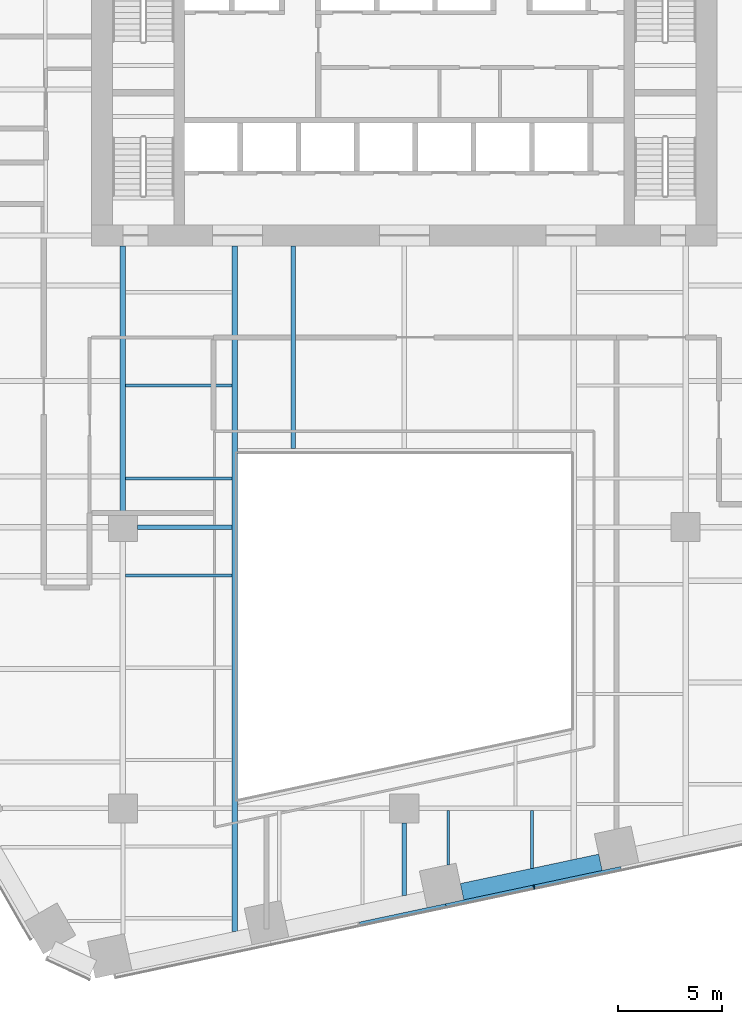
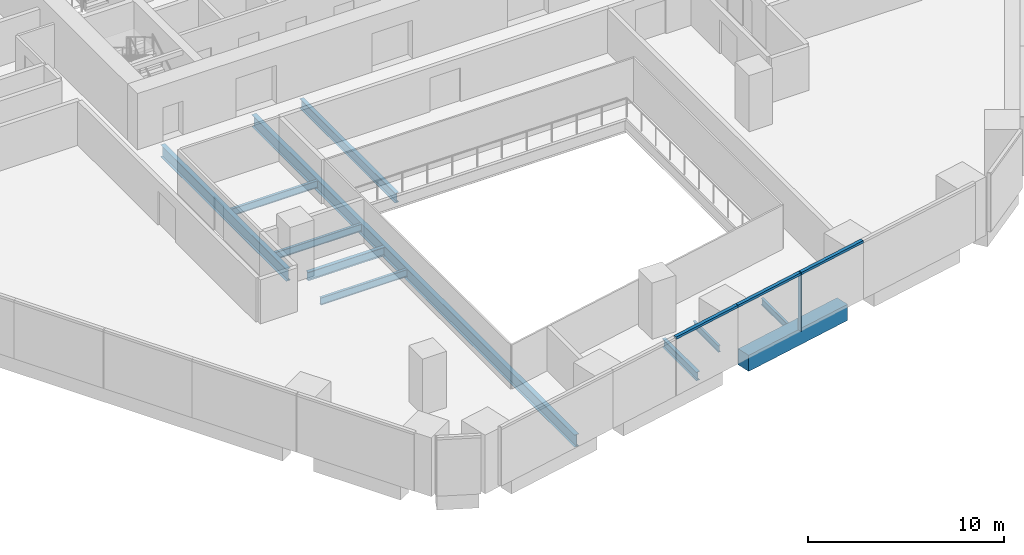
# One storey, part 4 of 21: 11 beams, 4 members, 1 element without a shape of its own.
"""IFC4 building model written with IfcOpenShell, lengths in metres."""

from ifc_helpers import new_model, si_unit, direction, frame, origin, origin_2d, place, context, subcontext, project, spatial, rectangle, i_section, extrude, material, layer, layer_set, material_profile, profile_set, type_object, element, aggregate, save


model = new_model("IFC4")

# Units and contexts
model_context = context("Model", 3, precision=1e-05, world=origin(), true_north=direction((0.0, 1.0)))
body_context = subcontext(model_context, "Body", "Model", "MODEL_VIEW")
ifc_project = project(units=[si_unit("LENGTHUNIT", "METRE"), si_unit("AREAUNIT", "SQUARE_METRE"), si_unit("VOLUMEUNIT", "CUBIC_METRE"), si_unit("PLANEANGLEUNIT", "RADIAN"), si_unit("MASSUNIT", "GRAM", prefix="KILO")], contexts=[model_context])

# Site, building, storey
site_placement = place(None, origin())
site = spatial("IfcSite", under=ifc_project, at=site_placement, CompositionType="ELEMENT")
building_placement = place(site_placement, origin())
building = spatial("IfcBuilding", under=site, at=building_placement, Name="Isthmus Gate Tower", CompositionType="ELEMENT")
storey_placement = place(building_placement, frame((0.0, 0.0, 46.949951171875)))
storey = spatial("IfcBuildingStorey", under=building, at=storey_placement, Name="L09", CompositionType="ELEMENT", Elevation=46.949951171875)

# Curtain wall, members
ifc_material_1 = material(Name="Aluminium, pale champagne anodised", Category="aluminium")
ifc_layer = layer(ifc_material_1, 0.199951171875)
ifc_layer_set = layer_set([ifc_layer], Name="CW-1 UNITISED CURTAIN WALL 200 DEEP")
curtain_wall_type = type_object("IfcCurtainWallType", Name="CW-1 UNITISED CURTAIN WALL 200 DEEP", PredefinedType="NOTDEFINED", material=ifc_layer_set)
curtain_wall_placement = place(storey_placement, origin())
curtain_wall = element("IfcCurtainWall", 1, at=curtain_wall_placement, inside=storey, type_object=curtain_wall_type, Name="CW-1 S L09", PredefinedType="NOTDEFINED")
ifc_material_2 = material(Name="Aluminium, pale champagne anodised", Category="aluminium")
ifc_material_profile_1 = material_profile(ifc_material_2, rectangle(XDim=0.06005859375, YDim=0.199951171875, at=origin_2d()), Name="60x200")
ifc_profile_set_1 = profile_set([ifc_material_profile_1], Name="Aluminium, pale champagne anodised")
member_type_1 = type_object("IfcMemberType", Name="CW-1 MULLION 60 X 200", PredefinedType="MULLION", material=ifc_profile_set_1)
member_1_placement = place(storey_placement, frame((6.228759765625, -30.7783203125, 0.0), z_axis=(0.0, 0.0, 1.0), x_axis=(0.978147600734, 0.207911690818, 0.0)))
member_1 = element("IfcMember", 2, at=member_1_placement, type_object=member_type_1, Name="CW-1 mullion", PredefinedType="MULLION", context=body_context, shape_type="SweptSolid", body=[
    extrude(rectangle(XDim=0.06005859375, YDim=0.199951171875, at=origin_2d()), origin(), (0.0, 0.0, 1.0), 3.650146484375),
])
ifc_material_3 = material(Name="Aluminium, pale champagne anodised", Category="aluminium")
ifc_material_profile_2 = material_profile(ifc_material_3, rectangle(XDim=0.199951171875, YDim=0.14990234375, at=origin_2d()), Name="200x150")
ifc_profile_set_2 = profile_set([ifc_material_profile_2], Name="Aluminium, pale champagne anodised")
member_type_2 = type_object("IfcMemberType", Name="CW-1 TRANSOM 200 X 150", PredefinedType="USERDEFINED", material=ifc_profile_set_2)
member_2_placement = place(storey_placement, frame((-2.1435546875, -32.557861328125, 3.574951171875), z_axis=(0.978150351608, 0.20789874855, 0.0), x_axis=(-0.20789874855, 0.978150351608, 0.0)))
member_2 = element("IfcMember", 3, at=member_2_placement, type_object=member_type_2, Name="CW-1 transom", ObjectType="TRANSOM", PredefinedType="USERDEFINED", context=body_context, shape_type="SweptSolid", body=[
    extrude(rectangle(XDim=0.199951171875, YDim=0.14990234375, at=origin_2d()), origin(), (0.0, 0.0, 1.0), 4.234619140625),
])
member_3_placement = place(storey_placement, frame((1.99853515625, -31.677490234375, 3.574951171875), z_axis=(0.97813890815, 0.207952582007, 0.0), x_axis=(-0.207952582007, 0.97813890815, 0.0)))
member_3 = element("IfcMember", 4, at=member_3_placement, type_object=member_type_2, Name="CW-1 transom", ObjectType="TRANSOM", PredefinedType="USERDEFINED", context=body_context, shape_type="SweptSolid", body=[
    extrude(rectangle(XDim=0.199951171875, YDim=0.14990234375, at=origin_2d()), origin(), (0.0, 0.0, 1.0), 4.294677734375),
])
member_4_placement = place(storey_placement, frame((6.258056640625, -30.77197265625, 3.574951171875), z_axis=(0.978150351608, 0.20789874855, 0.0), x_axis=(-0.20789874855, 0.978150351608, 0.0)))
member_4 = element("IfcMember", 5, at=member_4_placement, type_object=member_type_2, Name="CW-1 transom", ObjectType="TRANSOM", PredefinedType="USERDEFINED", context=body_context, shape_type="SweptSolid", body=[
    extrude(rectangle(XDim=0.199951171875, YDim=0.14990234375, at=origin_2d()), origin(), (0.0, 0.0, 1.0), 4.234619140625),
])
aggregate(curtain_wall, [member_2, member_3, member_1, member_4])

# Beams
ifc_material_4 = material(Name="Concrete f'c 70 MPa", Category="concrete")
ifc_material_profile_3 = material_profile(ifc_material_4, rectangle(XDim=0.800048828125, YDim=1.0, at=origin_2d()), Name="RC 800X1000")
ifc_profile_set_3 = profile_set([ifc_material_profile_3], Name="Concrete f'c 70 MPa")
beam_type_1 = type_object("IfcBeamType", Name="RC SPANDREL 800 X 1000", PredefinedType="SPANDREL", material=ifc_profile_set_3)
beam_1_placement = place(storey_placement, frame((9.415771484375, -29.589599609375, -0.5), z_axis=(-0.978145779981, -0.207920256603, 0.0), x_axis=(0.207920256603, -0.978145779981, 0.0)))
element("IfcBeam", 6, at=beam_1_placement, inside=storey, type_object=beam_type_1, Name="str-spandrel-L09-11", PredefinedType="SPANDREL", context=body_context, shape_type="SweptSolid", body=[
    extrude(rectangle(XDim=0.800048828125, YDim=1.0, at=origin_2d()), origin(), (0.0, 0.0, 1.0), 6.789306640625),
])
ifc_material_5 = material(Name="Structural steel ASTM A992 Gr 50", Category="steel")
ifc_material_profile_4 = material_profile(ifc_material_5, i_section(OverallWidth=0.1396484375, OverallDepth=0.4033203125, WebThickness=0.00634765625, FlangeThickness=0.010986328125, at=origin_2d()), Name="W16X31")
ifc_profile_set_4 = profile_set([ifc_material_profile_4], Name="Structural steel ASTM A992 Gr 50")
beam_type_2 = type_object("IfcBeamType", Name="STEEL FLOOR BEAM W16X31", PredefinedType="JOIST", material=ifc_profile_set_4)
beam_2_placement = place(storey_placement, frame((2.111572265625, -29.7109375, -0.3515625), z_axis=(0.0, 1.0, 0.0), x_axis=(-1.0, 0.0, 0.0)))
element("IfcBeam", 7, at=beam_2_placement, inside=storey, type_object=beam_type_2, Name="str-beam-L09-18-00", PredefinedType="JOIST", context=body_context, shape_type="SweptSolid", body=[
    extrude(i_section(OverallWidth=0.1396484375, OverallDepth=0.4033203125, WebThickness=0.00634765625, FlangeThickness=0.010986328125, at=origin_2d()), origin(), (0.0, 0.0, 1.0), 2.5966796875),
])
beam_3_placement = place(storey_placement, frame((6.125, -29.880126953125, -0.3515625), z_axis=(0.0, 1.0, 0.0), x_axis=(-1.0, 0.0, 0.0)))
element("IfcBeam", 8, at=beam_3_placement, inside=storey, type_object=beam_type_2, Name="str-beam-L09-18-01", PredefinedType="JOIST", context=body_context, shape_type="SweptSolid", body=[
    extrude(i_section(OverallWidth=0.1396484375, OverallDepth=0.4033203125, WebThickness=0.00634765625, FlangeThickness=0.010986328125, at=origin_2d()), origin(), (0.0, 0.0, 1.0), 2.765869140625),
])
ifc_material_6 = material(Name="Structural steel ASTM A992 Gr 50", Category="steel")
ifc_material_profile_5 = material_profile(ifc_material_6, i_section(OverallWidth=0.15234375, OverallDepth=0.45068359375, WebThickness=0.0078125, FlangeThickness=0.010986328125, at=origin_2d()), Name="W18X35")
ifc_profile_set_5 = profile_set([ifc_material_profile_5], Name="Structural steel ASTM A992 Gr 50")
beam_type_3 = type_object("IfcBeamType", Name="STEEL FLOOR BEAM W18X35", PredefinedType="JOIST", material=ifc_profile_set_5)
for number, where, z_axis, x_axis, name in (
    (9, (-13.3681640625, -11.16259765625, -0.375244140625), (1.0, 0.0, 0.0), (0.0, 1.0, 0.0), "str-beam-L09-11-00"),
    (10, (-13.3681640625, -6.697509765625, -0.375244140625), (1.0, 0.0, 0.0), (0.0, 1.0, 0.0), "str-beam-L09-11-01"),
    (11, (-13.3681640625, -15.81982421875, -0.375244140625), (1.0, 0.0, 0.0), (0.0, 1.0, 0.0), "str-beam-L09-12-02"),
):
    element("IfcBeam", number, at=place(storey_placement, frame(where, z_axis=z_axis, x_axis=x_axis)), inside=storey, type_object=beam_type_3, Name=name, PredefinedType="JOIST", context=body_context, shape_type="SweptSolid", body=[
        extrude(i_section(OverallWidth=0.15234375, OverallDepth=0.45068359375, WebThickness=0.0078125, FlangeThickness=0.010986328125, at=origin_2d()), origin(), (0.0, 0.0, 1.0), 5.1015625),
    ])
ifc_material_7 = material(Name="Structural steel ASTM A992 Gr 50", Category="steel")
ifc_material_profile_6 = material_profile(ifc_material_7, i_section(OverallWidth=0.228515625, OverallDepth=0.603271484375, WebThickness=0.010986328125, FlangeThickness=0.014404296875, at=origin_2d()), Name="W24X68")
ifc_profile_set_6 = profile_set([ifc_material_profile_6], Name="Structural steel ASTM A992 Gr 50")
beam_type_4 = type_object("IfcBeamType", Name="STEEL FLOOR BEAM W24X68", PredefinedType="JOIST", material=ifc_profile_set_6)
beam_4_placement = place(storey_placement, frame((-5.333251953125, -9.7333984375, -0.45166015625), z_axis=(0.0, 1.0, 0.0), x_axis=(-1.0, 0.0, 0.0)))
element("IfcBeam", 12, at=beam_4_placement, inside=storey, type_object=beam_type_4, Name="str-beam-L09-16-00", PredefinedType="JOIST", context=body_context, shape_type="SweptSolid", body=[
    extrude(i_section(OverallWidth=0.228515625, OverallDepth=0.603271484375, WebThickness=0.010986328125, FlangeThickness=0.014404296875, at=origin_2d()), origin(), (0.0, 0.0, 1.0), 9.7333984375),
])
ifc_material_8 = material(Name="Structural steel ASTM A992 Gr 50", Category="steel")
ifc_material_profile_7 = material_profile(ifc_material_8, i_section(OverallWidth=0.20947265625, OverallDepth=0.533447265625, WebThickness=0.009521484375, FlangeThickness=0.015869140625, at=origin_2d()), Name="W21X62")
ifc_profile_set_7 = profile_set([ifc_material_profile_7], Name="Structural steel ASTM A992 Gr 50")
beam_type_5 = type_object("IfcBeamType", Name="STEEL GIRDER W21X62", PredefinedType="BEAM", material=ifc_profile_set_7)
beam_5_placement = place(storey_placement, frame((-12.800048828125, -13.5, -0.416748046875), z_axis=(1.0, 0.0, 0.0), x_axis=(0.0, 1.0, 0.0)))
element("IfcBeam", 13, at=beam_5_placement, inside=storey, type_object=beam_type_5, Name="str-girder-L09-06", PredefinedType="BEAM", context=body_context, shape_type="SweptSolid", body=[
    extrude(i_section(OverallWidth=0.20947265625, OverallDepth=0.533447265625, WebThickness=0.009521484375, FlangeThickness=0.015869140625, at=origin_2d()), origin(), (0.0, 0.0, 1.0), 4.533447265625),
])
beam_6_placement = place(storey_placement, frame((0.0, -31.18212890625, -0.416748046875), z_axis=(0.0, 1.0, 0.0), x_axis=(-1.0, 0.0, 0.0)))
element("IfcBeam", 14, at=beam_6_placement, inside=storey, type_object=beam_type_5, Name="str-girder-L09-28", PredefinedType="BEAM", context=body_context, shape_type="SweptSolid", body=[
    extrude(i_section(OverallWidth=0.20947265625, OverallDepth=0.533447265625, WebThickness=0.009521484375, FlangeThickness=0.015869140625, at=origin_2d()), origin(), (0.0, 0.0, 1.0), 3.482177734375),
])
ifc_material_9 = material(Name="Structural steel ASTM A992 Gr 50", Category="steel")
ifc_material_profile_8 = material_profile(ifc_material_9, i_section(OverallWidth=0.263427734375, OverallDepth=0.749267578125, WebThickness=0.0126953125, FlangeThickness=0.015869140625, at=origin_2d()), Name="W30X90")
ifc_profile_set_8 = profile_set([ifc_material_profile_8], Name="Structural steel ASTM A992 Gr 50")
beam_type_6 = type_object("IfcBeamType", Name="STEEL GIRDER W30X90", PredefinedType="BEAM", material=ifc_profile_set_8)
beam_7_placement = place(storey_placement, frame((-13.5, -12.800048828125, -0.524658203125), z_axis=(0.0, 1.0, 0.0), x_axis=(-1.0, 0.0, 0.0)))
element("IfcBeam", 15, at=beam_7_placement, inside=storey, type_object=beam_type_6, Name="str-girder-L09-25", PredefinedType="BEAM", context=body_context, shape_type="SweptSolid", body=[
    extrude(i_section(OverallWidth=0.263427734375, OverallDepth=0.749267578125, WebThickness=0.0126953125, FlangeThickness=0.015869140625, at=origin_2d()), origin(), (0.0, 0.0, 1.0), 12.800048828125),
])
ifc_material_10 = material(Name="Structural steel ASTM A992 Gr 50", Category="steel")
ifc_material_profile_9 = material_profile(ifc_material_10, i_section(OverallWidth=0.2666015625, OverallDepth=0.7587890625, WebThickness=0.014404296875, FlangeThickness=0.01904296875, at=origin_2d()), Name="W30X108")
ifc_profile_set_9 = profile_set([ifc_material_profile_9], Name="Structural steel ASTM A992 Gr 50")
beam_type_7 = type_object("IfcBeamType", Name="STEEL TRIMMER W30X108", PredefinedType="BEAM", material=ifc_profile_set_9)
beam_8_placement = place(storey_placement, frame((-8.13330078125, 0.0, -0.529296875), z_axis=(0.0, -1.0, 0.0), x_axis=(1.0, 0.0, 0.0)))
element("IfcBeam", 16, at=beam_8_placement, inside=storey, type_object=beam_type_7, Name="str-trimmer-L09-02", PredefinedType="BEAM", context=body_context, shape_type="SweptSolid", body=[
    extrude(i_section(OverallWidth=0.2666015625, OverallDepth=0.7587890625, WebThickness=0.014404296875, FlangeThickness=0.01904296875, at=origin_2d()), origin(), (0.0, 0.0, 1.0), 32.910888671875),
])

save(model, "model.ifc")
